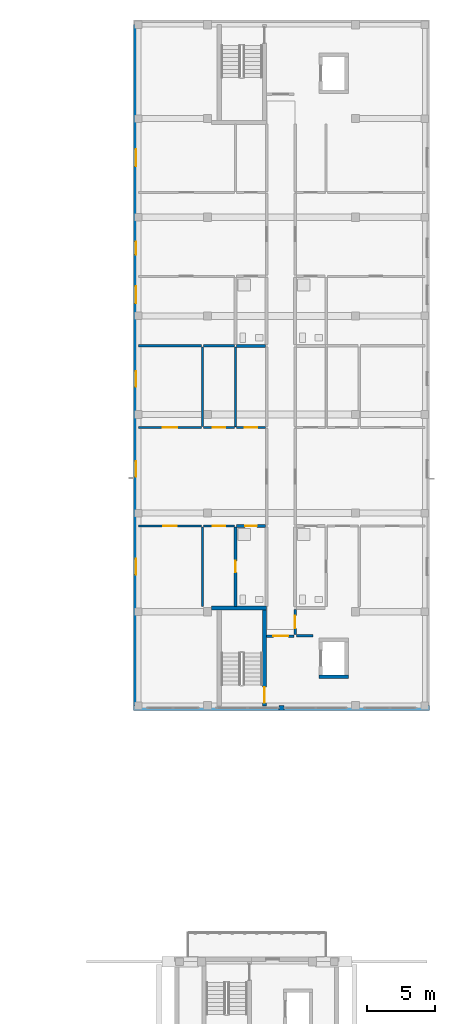
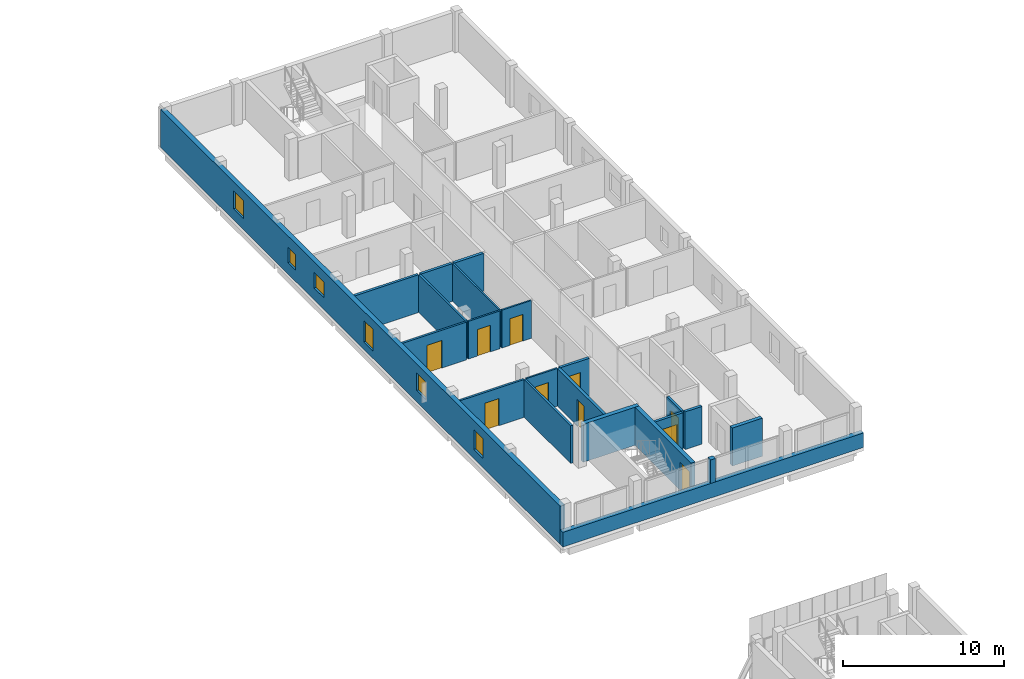
# One storey, part 19 of 34: 22 walls, 10 doors, 6 windows, 16 openings.
"""IFC4 building model written with IfcOpenShell, lengths in metres."""

from ifc_helpers import new_model, si_unit, derived_unit, direction, frame, frame_2d, origin, place, context, subcontext, project, spatial, rectangle, extrude, material, layer, layer_set, type_object, element, fill, save


model = new_model("IFC4")

# Units and contexts
model_context = context("Model", 3, precision=1e-05, world=origin(), true_north=direction((0.0, 1.0)))
body_context = subcontext(model_context, "Body", "Model", "MODEL_VIEW")
ifc_project = project(units=[si_unit("LENGTHUNIT", "METRE"), si_unit("AREAUNIT", "SQUARE_METRE"), si_unit("VOLUMEUNIT", "CUBIC_METRE"), si_unit("PLANEANGLEUNIT", "RADIAN"), si_unit("MASSUNIT", "GRAM", prefix="KILO"), derived_unit("THERMALTRANSMITTANCEUNIT", [(si_unit("MASSUNIT", "GRAM", prefix="KILO"), 1), (si_unit("TIMEUNIT", "SECOND"), -3), (si_unit("THERMODYNAMICTEMPERATUREUNIT", "KELVIN"), -1)])], contexts=[model_context])

# Site, building, storey
site_placement = place(None, origin())
site = spatial("IfcSite", under=ifc_project, at=site_placement, CompositionType="ELEMENT")
building_placement = place(site_placement, origin())
building = spatial("IfcBuilding", under=site, at=building_placement, Name="Ochrekiln Boulevard Commons", CompositionType="ELEMENT")
storey_placement = place(building_placement, frame((0.0, 0.0, 27.824951171875)))
storey = spatial("IfcBuildingStorey", under=building, at=storey_placement, Name="L08", CompositionType="ELEMENT", Elevation=27.824951171875)

# Wall, openings, windows
ifc_material_1 = material(Name="Iron-spot brown clinker brick masonry ASTM C216 Grade SW", Category="masonry")
ifc_layer_1 = layer(ifc_material_1, 0.340087890625)
ifc_layer_set_1 = layer_set([ifc_layer_1], Name="Iron-spot brown clinker brick masonry ASTM C216 Grade SW")
wall_type_1 = type_object("IfcWallType", Name="WL-EXT-IRON-340", PredefinedType="SOLIDWALL", material=ifc_layer_set_1)
wall_1_placement = place(storey_placement, frame((151.3701171875, 68.739990234375, 0.0), z_axis=(0.0, 0.0, 1.0), x_axis=(0.0, 1.0, 0.0)))
wall_1 = element("IfcWall", 1, at=wall_1_placement, inside=storey, type_object=wall_type_1, Name="Block B L08 W Exterior Wall", PredefinedType="SOLIDWALL", context=body_context, shape_type="SweptSolid", body=[
    extrude(rectangle(XDim=49.719970703125, YDim=0.340087890625, at=frame_2d((24.85986328125, 0.0))), origin(), (0.0, 0.0, 1.0), 2.89013671875),
])
opening_1_placement = place(wall_1_placement, frame((16.70703125, 0.0, 0.85498046875)))
opening_1 = element("IfcOpeningElement", 2, at=opening_1_placement, cuts=wall_1, Name="Opening W-12", PredefinedType="OPENING", context=body_context, shape_type="SweptSolid", body=[
    extrude(rectangle(XDim=1.14990234375, YDim=1.35009765625, at=frame_2d((0.574951171875, 0.675048828125))), frame((0.0, 0.179931640625, 0.0), z_axis=(0.0, -1.0, 0.0), x_axis=(1.0, 0.0, 0.0)), (0.0, 0.0, 1.0), 0.360107421875),
])
opening_2_placement = place(wall_1_placement, frame((9.577880859375, 0.0, 0.705078125)))
opening_2 = element("IfcOpeningElement", 3, at=opening_2_placement, cuts=wall_1, Name="Opening W-13", PredefinedType="OPENING", context=body_context, shape_type="SweptSolid", body=[
    extrude(rectangle(XDim=1.14990234375, YDim=1.5, at=frame_2d((0.574951171875, 0.75))), frame((0.0, 0.179931640625, 0.0), z_axis=(0.0, -1.0, 0.0), x_axis=(1.0, 0.0, 0.0)), (0.0, 0.0, 1.0), 0.360107421875),
])
opening_3_placement = place(wall_1_placement, frame((23.279052734375, 0.0, 0.554931640625)))
opening_3 = element("IfcOpeningElement", 4, at=opening_3_placement, cuts=wall_1, Name="Opening W-14", PredefinedType="OPENING", context=body_context, shape_type="SweptSolid", body=[
    extrude(rectangle(XDim=1.14990234375, YDim=1.64990234375, at=frame_2d((0.574951171875, 0.824951171875))), frame((0.0, 0.179931640625, 0.0), z_axis=(0.0, -1.0, 0.0), x_axis=(1.0, 0.0, 0.0)), (0.0, 0.0, 1.0), 0.360107421875),
])
opening_4_placement = place(wall_1_placement, frame((32.93505859375, 0.0, 0.85009765625)))
opening_4 = element("IfcOpeningElement", 5, at=opening_4_placement, cuts=wall_1, Name="Opening W-01", PredefinedType="OPENING", context=body_context, shape_type="SweptSolid", body=[
    extrude(rectangle(XDim=0.949951171875, YDim=1.199951171875, at=frame_2d((0.47509765625, 0.60009765625))), frame((0.0, 0.179931640625, 0.0), z_axis=(0.0, -1.0, 0.0), x_axis=(1.0, 0.0, 0.0)), (0.0, 0.0, 1.0), 0.360107421875),
])
opening_5_placement = place(wall_1_placement, frame((29.375, 0.0, 0.89990234375)))
opening_5 = element("IfcOpeningElement", 6, at=opening_5_placement, cuts=wall_1, Name="Opening W-16", PredefinedType="OPENING", context=body_context, shape_type="SweptSolid", body=[
    extrude(rectangle(XDim=1.25, YDim=1.199951171875, at=frame_2d((0.625, 0.60009765625))), frame((0.0, 0.179931640625, 0.0), z_axis=(0.0, -1.0, 0.0), x_axis=(1.0, 0.0, 0.0)), (0.0, 0.0, 1.0), 0.360107421875),
])
opening_6_placement = place(wall_1_placement, frame((39.37890625, 0.0, 0.85498046875)))
opening_6 = element("IfcOpeningElement", 7, at=opening_6_placement, cuts=wall_1, Name="Opening W-17", PredefinedType="OPENING", context=body_context, shape_type="SweptSolid", body=[
    extrude(rectangle(XDim=1.25, YDim=1.35009765625, at=frame_2d((0.625, 0.675048828125))), frame((0.0, 0.179931640625, 0.0), z_axis=(0.0, -1.0, 0.0), x_axis=(1.0, 0.0, 0.0)), (0.0, 0.0, 1.0), 0.360107421875),
])
ifc_material_2 = material(Name="Thermally broken aluminium-clad oak frame", Category="aluminium")
window_type_1 = type_object("IfcWindowType", Name="WIN-EXT-01", PartitioningType="SINGLE_PANEL", PredefinedType="WINDOW", material=ifc_material_2)
window_1_placement = place(opening_4_placement, origin())
window_1 = element("IfcWindow", 8, at=window_1_placement, inside=storey, type_object=window_type_1, Name="Block B L08 Punched Masonry Window W-01", OverallHeight=1.199951171875, OverallWidth=0.949951171875, PartitioningType="SINGLE_PANEL", PredefinedType="WINDOW", context=body_context, shape_type="SweptSolid", body=[
    extrude(rectangle(XDim=0.949951171875, YDim=1.199951171875, at=frame_2d((0.47509765625, 0.60009765625))), frame((0.0, 0.030029296875, 0.0), z_axis=(0.0, -1.0, 0.0), x_axis=(1.0, 0.0, 0.0)), (0.0, 0.0, 1.0), 0.06005859375),
])
fill(opening_4, window_1)
window_type_2 = type_object("IfcWindowType", Name="WIN-EXT-12", PartitioningType="SINGLE_PANEL", PredefinedType="WINDOW", material=ifc_material_2)
window_2_placement = place(opening_1_placement, origin())
window_2 = element("IfcWindow", 9, at=window_2_placement, inside=storey, type_object=window_type_2, Name="Block B L08 Punched Masonry Window W-12", OverallHeight=1.35009765625, OverallWidth=1.14990234375, PartitioningType="SINGLE_PANEL", PredefinedType="WINDOW", context=body_context, shape_type="SweptSolid", body=[
    extrude(rectangle(XDim=1.14990234375, YDim=1.35009765625, at=frame_2d((0.574951171875, 0.675048828125))), frame((0.0, 0.030029296875, 0.0), z_axis=(0.0, -1.0, 0.0), x_axis=(1.0, 0.0, 0.0)), (0.0, 0.0, 1.0), 0.06005859375),
])
fill(opening_1, window_2)
window_type_3 = type_object("IfcWindowType", Name="WIN-EXT-13", PartitioningType="SINGLE_PANEL", PredefinedType="WINDOW", material=ifc_material_2)
window_3_placement = place(opening_2_placement, origin())
window_3 = element("IfcWindow", 10, at=window_3_placement, inside=storey, type_object=window_type_3, Name="Block B L08 Punched Masonry Window W-13", OverallHeight=1.5, OverallWidth=1.14990234375, PartitioningType="SINGLE_PANEL", PredefinedType="WINDOW", context=body_context, shape_type="SweptSolid", body=[
    extrude(rectangle(XDim=1.14990234375, YDim=1.5, at=frame_2d((0.574951171875, 0.75))), frame((0.0, 0.030029296875, 0.0), z_axis=(0.0, -1.0, 0.0), x_axis=(1.0, 0.0, 0.0)), (0.0, 0.0, 1.0), 0.06005859375),
])
fill(opening_2, window_3)
window_type_4 = type_object("IfcWindowType", Name="WIN-EXT-14", PartitioningType="SINGLE_PANEL", PredefinedType="WINDOW", material=ifc_material_2)
window_4_placement = place(opening_3_placement, origin())
window_4 = element("IfcWindow", 11, at=window_4_placement, inside=storey, type_object=window_type_4, Name="Block B L08 Punched Masonry Window W-14", OverallHeight=1.64990234375, OverallWidth=1.14990234375, PartitioningType="SINGLE_PANEL", PredefinedType="WINDOW", context=body_context, shape_type="SweptSolid", body=[
    extrude(rectangle(XDim=1.14990234375, YDim=1.64990234375, at=frame_2d((0.574951171875, 0.824951171875))), frame((0.0, 0.030029296875, 0.0), z_axis=(0.0, -1.0, 0.0), x_axis=(1.0, 0.0, 0.0)), (0.0, 0.0, 1.0), 0.06005859375),
])
fill(opening_3, window_4)
window_type_5 = type_object("IfcWindowType", Name="WIN-EXT-16", PartitioningType="SINGLE_PANEL", PredefinedType="WINDOW", material=ifc_material_2)
window_5_placement = place(opening_5_placement, origin())
window_5 = element("IfcWindow", 12, at=window_5_placement, inside=storey, type_object=window_type_5, Name="Block B L08 Punched Masonry Window W-16", OverallHeight=1.199951171875, OverallWidth=1.25, PartitioningType="SINGLE_PANEL", PredefinedType="WINDOW", context=body_context, shape_type="SweptSolid", body=[
    extrude(rectangle(XDim=1.25, YDim=1.199951171875, at=frame_2d((0.625, 0.60009765625))), frame((0.0, 0.030029296875, 0.0), z_axis=(0.0, -1.0, 0.0), x_axis=(1.0, 0.0, 0.0)), (0.0, 0.0, 1.0), 0.06005859375),
])
fill(opening_5, window_5)
window_type_6 = type_object("IfcWindowType", Name="WIN-EXT-17", PartitioningType="SINGLE_PANEL", PredefinedType="WINDOW", material=ifc_material_2)
window_6_placement = place(opening_6_placement, origin())
window_6 = element("IfcWindow", 13, at=window_6_placement, inside=storey, type_object=window_type_6, Name="Block B L08 Punched Masonry Window W-17", OverallHeight=1.35009765625, OverallWidth=1.25, PartitioningType="SINGLE_PANEL", PredefinedType="WINDOW", context=body_context, shape_type="SweptSolid", body=[
    extrude(rectangle(XDim=1.25, YDim=1.35009765625, at=frame_2d((0.625, 0.675048828125))), frame((0.0, 0.030029296875, 0.0), z_axis=(0.0, -1.0, 0.0), x_axis=(1.0, 0.0, 0.0)), (0.0, 0.0, 1.0), 0.06005859375),
])
fill(opening_6, window_6)

# Walls
wall_2_placement = place(storey_placement, frame((151.199951171875, 68.570068359375, 0.0), z_axis=(0.0, 0.0, 1.0), x_axis=(1.0, 0.0, 0.0)))
element("IfcWall", 14, at=wall_2_placement, inside=storey, type_object=wall_type_1, Name="Block B L08 Courtyard Gable Sill Wall", PredefinedType="SOLIDWALL", context=body_context, shape_type="SweptSolid", body=[
    extrude(rectangle(XDim=21.60009765625, YDim=0.340087890625, at=frame_2d((10.800048828125, 0.0))), origin(), (0.0, 0.0, 1.0), 1.110107421875),
])
wall_3_placement = place(storey_placement, frame((161.820068359375, 68.570068359375, 1.110107421875), z_axis=(0.0, 0.0, 1.0), x_axis=(1.0, 0.0, 0.0)))
element("IfcWall", 15, at=wall_3_placement, inside=storey, type_object=wall_type_1, Name="Block B L08 Courtyard Gable Mullion Pier", PredefinedType="SOLIDWALL", context=body_context, shape_type="SweptSolid", body=[
    extrude(rectangle(XDim=0.35986328125, YDim=0.340087890625, at=frame_2d((0.179931640625, 0.0))), origin(), (0.0, 0.0, 1.0), 1.780029296875),
])

# Wall, opening, door
ifc_material_3 = material(Name="Moisture-resistant cementitious tile backer wall")
ifc_layer_2 = layer(ifc_material_3, 0.199951171875)
ifc_layer_set_2 = layer_set([ifc_layer_2], Name="Moisture-resistant cementitious tile backer wall")
wall_type_2 = type_object("IfcWallType", Name="WL-PLM-200", PredefinedType="PLUMBINGWALL", material=ifc_layer_set_2)
wall_4_placement = place(storey_placement, frame((158.719970703125, 81.864990234375, 0.0), z_axis=(0.0, 0.0, 1.0), x_axis=(1.0, 0.0, 0.0)))
wall_4 = element("IfcWall", 16, at=wall_4_placement, inside=storey, type_object=wall_type_2, Name="L08 Interior Wall W-PW200", PredefinedType="PLUMBINGWALL", context=body_context, shape_type="SweptSolid", body=[
    extrude(rectangle(XDim=2.10693359375, YDim=0.199951171875, at=frame_2d((1.053466796875, 0.0))), origin(), (0.0, 0.0, 1.0), 2.8701171875),
])
opening_7_placement = place(wall_4_placement, frame((0.6201171875, 0.0, 0.0)))
opening_7 = element("IfcOpeningElement", 17, at=opening_7_placement, cuts=wall_4, Name="Opening D-L08-1038", PredefinedType="OPENING", context=body_context, shape_type="SweptSolid", body=[
    extrude(rectangle(XDim=0.860107421875, YDim=2.0, at=frame_2d((0.43017578125, 1.0))), frame((0.0, 0.10986328125, 0.0), z_axis=(0.0, -1.0, 0.0), x_axis=(1.0, 0.0, 0.0)), (0.0, 0.0, 1.0), 0.219970703125),
])
ifc_material_4 = material(Name="Solid core architectural oak door leaf")
door_type_1 = type_object("IfcDoorType", Name="DR-INT-BTH-086", OperationType="NOTDEFINED", PredefinedType="DOOR", material=ifc_material_4)
door_1_placement = place(opening_7_placement, frame((0.860107421875, 0.0, 0.0), z_axis=(0.0, 0.0, 1.0), x_axis=(-1.0, 0.0, 0.0)))
door_1 = element("IfcDoor", 18, at=door_1_placement, inside=storey, type_object=door_type_1, Name="L08 Interior Door to Accessible Apartment Bathroom", OperationType="SINGLE_SWING_RIGHT", OverallHeight=2.0, OverallWidth=0.860107421875, PredefinedType="DOOR", context=body_context, shape_type="SweptSolid", body=[
    extrude(rectangle(XDim=0.860107421875, YDim=2.0, at=frame_2d((0.43017578125, 1.0))), frame((0.0, 0.02490234375, 0.0), z_axis=(0.0, -1.0, 0.0), x_axis=(1.0, 0.0, 0.0)), (0.0, 0.0, 1.0), 0.050048828125),
])
fill(opening_7, door_1)

wall_5_placement = place(storey_placement, frame((158.639892578125, 76.0, 0.0), z_axis=(0.0, 0.0, 1.0), x_axis=(0.0, 1.0, 0.0)))
wall_5 = element("IfcWall", 19, at=wall_5_placement, inside=storey, type_object=wall_type_2, Name="L08 Interior Wall W-PW200", PredefinedType="PLUMBINGWALL", context=body_context, shape_type="SweptSolid", body=[
    extrude(rectangle(XDim=5.804931640625, YDim=0.199951171875, at=frame_2d((2.90234375, 0.0))), origin(), (0.0, 0.0, 1.0), 2.8701171875),
])
opening_8_placement = place(wall_5_placement, frame((2.467041015625, 0.0, 0.0)))
opening_8 = element("IfcOpeningElement", 20, at=opening_8_placement, cuts=wall_5, Name="Opening D-L08-1044", PredefinedType="OPENING", context=body_context, shape_type="SweptSolid", body=[
    extrude(rectangle(XDim=0.85009765625, YDim=2.010009765625, at=frame_2d((0.425048828125, 1.0048828125))), frame((0.0, 0.10986328125, 0.0), z_axis=(0.0, -1.0, 0.0), x_axis=(1.0, 0.0, 0.0)), (0.0, 0.0, 1.0), 0.219970703125),
])
door_type_2 = type_object("IfcDoorType", Name="DR-INT-KIT-085", OperationType="NOTDEFINED", PredefinedType="DOOR", material=ifc_material_4)
door_2_placement = place(opening_8_placement, frame((0.85009765625, 0.0, 0.0), z_axis=(0.0, 0.0, 1.0), x_axis=(-1.0, 0.0, 0.0)))
door_2 = element("IfcDoor", 21, at=door_2_placement, inside=storey, type_object=door_type_2, Name="L08 Interior Door to Accessible Apartment Bathroom", OperationType="SINGLE_SWING_RIGHT", OverallHeight=2.010009765625, OverallWidth=0.85009765625, PredefinedType="DOOR", context=body_context, shape_type="SweptSolid", body=[
    extrude(rectangle(XDim=0.85009765625, YDim=2.010009765625, at=frame_2d((0.425048828125, 1.0048828125))), frame((0.0, 0.02490234375, 0.0), z_axis=(0.0, -1.0, 0.0), x_axis=(1.0, 0.0, 0.0)), (0.0, 0.0, 1.0), 0.050048828125),
])
fill(opening_8, door_2)

# Wall
wall_6_placement = place(storey_placement, frame((158.699951171875, 95.008056640625, 0.0), z_axis=(0.0, 0.0, 1.0), x_axis=(1.0, 0.0, 0.0)))
element("IfcWall", 22, at=wall_6_placement, inside=storey, type_object=wall_type_2, Name="L08 Interior Wall W-PW200", PredefinedType="PLUMBINGWALL", context=body_context, shape_type="SweptSolid", body=[
    extrude(rectangle(XDim=2.126953125, YDim=0.199951171875, at=frame_2d((1.0634765625, 0.0))), origin(), (0.0, 0.0, 1.0), 2.8701171875),
])

# Wall, opening, door
ifc_material_5 = material(Name="Fire-rated Type X gypsum board on steel studs", Category="steel")
ifc_layer_3 = layer(ifc_material_5, 0.1650390625)
ifc_layer_set_3 = layer_set([ifc_layer_3], Name="Fire-rated Type X gypsum board on steel studs")
wall_type_3 = type_object("IfcWallType", Name="WL-PT-CORR-165", PredefinedType="PARTITIONING", material=ifc_layer_set_3)
wall_7_placement = place(storey_placement, frame((162.989990234375, 73.929931640625, 0.0), z_axis=(0.0, 0.0, 1.0), x_axis=(0.0, 1.0, 0.0)))
wall_7 = element("IfcWall", 23, at=wall_7_placement, inside=storey, type_object=wall_type_3, Name="L08 Interior Wall W-PC165", PredefinedType="PARTITIONING", context=body_context, shape_type="SweptSolid", body=[
    extrude(rectangle(XDim=1.820068359375, YDim=0.1650390625, at=frame_2d((0.91015625, 0.0))), origin(), (0.0, 0.0, 1.0), 2.8701171875),
])
opening_9_placement = place(wall_7_placement, frame((0.4599609375, 0.0, 0.0)))
opening_9 = element("IfcOpeningElement", 24, at=opening_9_placement, cuts=wall_7, Name="Opening D-L08-1033", PredefinedType="OPENING", context=body_context, shape_type="SweptSolid", body=[
    extrude(rectangle(XDim=0.919921875, YDim=2.0400390625, at=frame_2d((0.4599609375, 1.02001953125))), frame((0.0, 0.092529296875, 0.0), z_axis=(0.0, -1.0, 0.0), x_axis=(1.0, 0.0, 0.0)), (0.0, 0.0, 1.0), 0.18505859375),
])
ifc_material_6 = material(Name="Hollow metal fire-rated steel door assembly", Category="steel")
door_type_3 = type_object("IfcDoorType", Name="DR-SRV-90", OperationType="NOTDEFINED", PredefinedType="DOOR", material=ifc_material_6)
door_3_placement = place(opening_9_placement, frame((0.919921875, 0.0, 0.0), z_axis=(0.0, 0.0, 1.0), x_axis=(-1.0, 0.0, 0.0)))
door_3 = element("IfcDoor", 25, at=door_3_placement, inside=storey, type_object=door_type_3, Name="L08 Interior Door to Hydronic and Electrical Riser Room", OperationType="SINGLE_SWING_LEFT", OverallHeight=2.0400390625, OverallWidth=0.919921875, PredefinedType="DOOR", context=body_context, shape_type="SweptSolid", body=[
    extrude(rectangle(XDim=0.919921875, YDim=2.0400390625, at=frame_2d((0.4599609375, 1.02001953125))), frame((0.0, 0.02490234375, 0.0), z_axis=(0.0, -1.0, 0.0), x_axis=(1.0, 0.0, 0.0)), (0.0, 0.0, 1.0), 0.050048828125),
])
fill(opening_9, door_3)

# Walls
ifc_layer_4 = layer(ifc_material_5, 0.179931640625)
ifc_layer_set_4 = layer_set([ifc_layer_4], Name="Fire-rated Type X gypsum board on steel studs")
wall_type_4 = type_object("IfcWallType", Name="WL-PT-DEM-180", PredefinedType="PARTITIONING", material=ifc_layer_set_4)
wall_8_placement = place(storey_placement, frame((151.5400390625, 95.008056640625, 0.0), z_axis=(0.0, 0.0, 1.0), x_axis=(1.0, 0.0, 0.0)))
element("IfcWall", 26, at=wall_8_placement, inside=storey, type_object=wall_type_4, Name="L08 Interior Wall W-PD180", PredefinedType="PARTITIONING", context=body_context, shape_type="SweptSolid", body=[
    extrude(rectangle(XDim=4.60986328125, YDim=0.179931640625, at=frame_2d((2.304931640625, 0.0))), origin(), (0.0, 0.0, 1.0), 2.8701171875),
])
wall_9_placement = place(storey_placement, frame((156.304931640625, 95.008056640625, 0.0), z_axis=(0.0, 0.0, 1.0), x_axis=(1.0, 0.0, 0.0)))
element("IfcWall", 27, at=wall_9_placement, inside=storey, type_object=wall_type_4, Name="L08 Interior Wall W-PD180", PredefinedType="PARTITIONING", context=body_context, shape_type="SweptSolid", body=[
    extrude(rectangle(XDim=2.275146484375, YDim=0.179931640625, at=frame_2d((1.1376953125, 0.0))), origin(), (0.0, 0.0, 1.0), 2.8701171875),
])
ifc_layer_5 = layer(ifc_material_5, 0.18994140625)
ifc_layer_set_5 = layer_set([ifc_layer_5], Name="Fire-rated Type X gypsum board on steel studs")
wall_type_5 = type_object("IfcWallType", Name="WL-PT-LBY-190", PredefinedType="PARTITIONING", material=ifc_layer_set_5)
wall_10_placement = place(storey_placement, frame((163.080078125, 73.8349609375, 0.0), z_axis=(0.0, 0.0, 1.0), x_axis=(1.0, 0.0, 0.0)))
element("IfcWall", 28, at=wall_10_placement, inside=storey, type_object=wall_type_5, Name="L08 Interior Wall W-PL190", PredefinedType="PARTITIONING", context=body_context, shape_type="SweptSolid", body=[
    extrude(rectangle(XDim=1.219970703125, YDim=0.18994140625, at=frame_2d((0.60986328125, 0.0))), origin(), (0.0, 0.0, 1.0), 2.8701171875),
])

# Wall, opening, door
wall_11_placement = place(storey_placement, frame((160.89990234375, 73.820068359375, 0.0), z_axis=(0.0, 0.0, 1.0), x_axis=(1.0, 0.0, 0.0)))
wall_11 = element("IfcWall", 29, at=wall_11_placement, inside=storey, type_object=wall_type_5, Name="L08 Interior Wall W-PL190", PredefinedType="PARTITIONING", context=body_context, shape_type="SweptSolid", body=[
    extrude(rectangle(XDim=2.0, YDim=0.18994140625, at=frame_2d((1.0, 0.0))), origin(), (0.0, 0.0, 1.0), 2.8701171875),
])
opening_10_placement = place(wall_11_placement, frame((0.5, 0.0, 0.0)))
opening_10 = element("IfcOpeningElement", 30, at=opening_10_placement, cuts=wall_11, Name="Opening D-L08-1031", PredefinedType="OPENING", context=body_context, shape_type="SweptSolid", body=[
    extrude(rectangle(XDim=1.10009765625, YDim=2.1201171875, at=frame_2d((0.550048828125, 1.06005859375))), frame((0.0, 0.10498046875, 0.0), z_axis=(0.0, -1.0, 0.0), x_axis=(1.0, 0.0, 0.0)), (0.0, 0.0, 1.0), 0.2099609375),
])
door_type_4 = type_object("IfcDoorType", Name="DR-LOBBY-60", OperationType="NOTDEFINED", PredefinedType="DOOR", material=ifc_material_6)
door_4_placement = place(opening_10_placement, frame((1.10009765625, 0.0, 0.0), z_axis=(0.0, 0.0, 1.0), x_axis=(-1.0, 0.0, 0.0)))
door_4 = element("IfcDoor", 31, at=door_4_placement, inside=storey, type_object=door_type_4, Name="L08 Interior Door to Fire Service Access Elevator Lobby", OperationType="SINGLE_SWING_LEFT", OverallHeight=2.1201171875, OverallWidth=1.10009765625, PredefinedType="DOOR", context=body_context, shape_type="SweptSolid", body=[
    extrude(rectangle(XDim=1.10009765625, YDim=2.1201171875, at=frame_2d((0.550048828125, 1.06005859375))), frame((0.0, 0.02490234375, 0.0), z_axis=(0.0, -1.0, 0.0), x_axis=(1.0, 0.0, 0.0)), (0.0, 0.0, 1.0), 0.050048828125),
])
fill(opening_10, door_4)

ifc_layer_6 = layer(ifc_material_5, 0.1201171875)
ifc_layer_set_6 = layer_set([ifc_layer_6], Name="Fire-rated Type X gypsum board on steel studs")
wall_type_6 = type_object("IfcWallType", Name="WL-PT-LGT-120", PredefinedType="PARTITIONING", material=ifc_layer_set_6)
wall_12_placement = place(storey_placement, frame((158.719970703125, 89.052978515625, 0.0), z_axis=(0.0, 0.0, 1.0), x_axis=(1.0, 0.0, 0.0)))
wall_12 = element("IfcWall", 32, at=wall_12_placement, inside=storey, type_object=wall_type_6, Name="L08 Interior Wall W-PL120", PredefinedType="PARTITIONING", context=body_context, shape_type="SweptSolid", body=[
    extrude(rectangle(XDim=2.10693359375, YDim=0.1201171875, at=frame_2d((1.053466796875, 0.0))), origin(), (0.0, 0.0, 1.0), 2.8701171875),
])
opening_11_placement = place(wall_12_placement, frame((0.590087890625, 0.0, 0.0)))
opening_11 = element("IfcOpeningElement", 33, at=opening_11_placement, cuts=wall_12, Name="Opening D-L08-1039", PredefinedType="OPENING", context=body_context, shape_type="SweptSolid", body=[
    extrude(rectangle(XDim=0.919921875, YDim=2.02001953125, at=frame_2d((0.4599609375, 1.010009765625))), frame((0.0, 0.070068359375, 0.0), z_axis=(0.0, -1.0, 0.0), x_axis=(1.0, 0.0, 0.0)), (0.0, 0.0, 1.0), 0.14013671875),
])
door_type_5 = type_object("IfcDoorType", Name="DR-INT-KIT-092", OperationType="NOTDEFINED", PredefinedType="DOOR", material=ifc_material_4)
door_5_placement = place(opening_11_placement, origin())
door_5 = element("IfcDoor", 34, at=door_5_placement, inside=storey, type_object=door_type_5, Name="L08 Interior Door to Apartment Kitchen", OperationType="SINGLE_SWING_LEFT", OverallHeight=2.02001953125, OverallWidth=0.919921875, PredefinedType="DOOR", context=body_context, shape_type="SweptSolid", body=[
    extrude(rectangle(XDim=0.919921875, YDim=2.02001953125, at=frame_2d((0.4599609375, 1.010009765625))), frame((0.0, 0.02490234375, 0.0), z_axis=(0.0, -1.0, 0.0), x_axis=(1.0, 0.0, 0.0)), (0.0, 0.0, 1.0), 0.050048828125),
])
fill(opening_11, door_5)

wall_13_placement = place(storey_placement, frame((156.31005859375, 81.864990234375, 0.0), z_axis=(0.0, 0.0, 1.0), x_axis=(1.0, 0.0, 0.0)))
wall_13 = element("IfcWall", 35, at=wall_13_placement, inside=storey, type_object=wall_type_6, Name="L08 Interior Wall W-PL120", PredefinedType="PARTITIONING", context=body_context, shape_type="SweptSolid", body=[
    extrude(rectangle(XDim=2.25, YDim=0.1201171875, at=frame_2d((1.125, 0.0))), origin(), (0.0, 0.0, 1.0), 2.8701171875),
])
opening_12_placement = place(wall_13_placement, frame((0.6650390625, 0.0, 0.0)))
opening_12 = element("IfcOpeningElement", 36, at=opening_12_placement, cuts=wall_13, Name="Opening D-L08-1041", PredefinedType="OPENING", context=body_context, shape_type="SweptSolid", body=[
    extrude(rectangle(XDim=0.919921875, YDim=2.02001953125, at=frame_2d((0.4599609375, 1.010009765625))), frame((0.0, 0.070068359375, 0.0), z_axis=(0.0, -1.0, 0.0), x_axis=(1.0, 0.0, 0.0)), (0.0, 0.0, 1.0), 0.14013671875),
])
door_6_placement = place(opening_12_placement, frame((0.919921875, 0.0, 0.0), z_axis=(0.0, 0.0, 1.0), x_axis=(-1.0, 0.0, 0.0)))
door_6 = element("IfcDoor", 37, at=door_6_placement, inside=storey, type_object=door_type_5, Name="L08 Interior Door to Apartment Walk-In Wardrobe", OperationType="SINGLE_SWING_LEFT", OverallHeight=2.02001953125, OverallWidth=0.919921875, PredefinedType="DOOR", context=body_context, shape_type="SweptSolid", body=[
    extrude(rectangle(XDim=0.919921875, YDim=2.02001953125, at=frame_2d((0.4599609375, 1.010009765625))), frame((0.0, 0.02490234375, 0.0), z_axis=(0.0, -1.0, 0.0), x_axis=(1.0, 0.0, 0.0)), (0.0, 0.0, 1.0), 0.050048828125),
])
fill(opening_12, door_6)

wall_14_placement = place(storey_placement, frame((156.31005859375, 89.052978515625, 0.0), z_axis=(0.0, 0.0, 1.0), x_axis=(1.0, 0.0, 0.0)))
wall_14 = element("IfcWall", 38, at=wall_14_placement, inside=storey, type_object=wall_type_6, Name="L08 Interior Wall W-PL120", PredefinedType="PARTITIONING", context=body_context, shape_type="SweptSolid", body=[
    extrude(rectangle(XDim=2.25, YDim=0.1201171875, at=frame_2d((1.125, 0.0))), origin(), (0.0, 0.0, 1.0), 2.8701171875),
])
opening_13_placement = place(wall_14_placement, frame((0.6650390625, 0.0, 0.0)))
opening_13 = element("IfcOpeningElement", 39, at=opening_13_placement, cuts=wall_14, Name="Opening D-L08-1043", PredefinedType="OPENING", context=body_context, shape_type="SweptSolid", body=[
    extrude(rectangle(XDim=0.919921875, YDim=2.02001953125, at=frame_2d((0.4599609375, 1.010009765625))), frame((0.0, 0.070068359375, 0.0), z_axis=(0.0, -1.0, 0.0), x_axis=(1.0, 0.0, 0.0)), (0.0, 0.0, 1.0), 0.14013671875),
])
door_7_placement = place(opening_13_placement, origin())
door_7 = element("IfcDoor", 40, at=door_7_placement, inside=storey, type_object=door_type_5, Name="L08 Interior Door to Apartment Walk-In Wardrobe", OperationType="SINGLE_SWING_LEFT", OverallHeight=2.02001953125, OverallWidth=0.919921875, PredefinedType="DOOR", context=body_context, shape_type="SweptSolid", body=[
    extrude(rectangle(XDim=0.919921875, YDim=2.02001953125, at=frame_2d((0.4599609375, 1.010009765625))), frame((0.0, 0.02490234375, 0.0), z_axis=(0.0, -1.0, 0.0), x_axis=(1.0, 0.0, 0.0)), (0.0, 0.0, 1.0), 0.050048828125),
])
fill(opening_13, door_7)

# Wall
wall_15_placement = place(storey_placement, frame((158.639892578125, 89.113037109375, 0.0), z_axis=(0.0, 0.0, 1.0), x_axis=(0.0, 1.0, 0.0)))
element("IfcWall", 41, at=wall_15_placement, inside=storey, type_object=wall_type_6, Name="L08 Interior Wall W-PL120", PredefinedType="PARTITIONING", context=body_context, shape_type="SweptSolid", body=[
    extrude(rectangle(XDim=5.804931640625, YDim=0.1201171875, at=frame_2d((2.90234375, 0.0))), origin(), (0.0, 0.0, 1.0), 2.8701171875),
])

# Wall, opening, door
ifc_layer_7 = layer(ifc_material_5, 0.14990234375)
ifc_layer_set_7 = layer_set([ifc_layer_7], Name="Fire-rated Type X gypsum board on steel studs")
wall_type_7 = type_object("IfcWallType", Name="WL-PT-STD-150", PredefinedType="PARTITIONING", material=ifc_layer_set_7)
wall_16_placement = place(storey_placement, frame((151.5400390625, 81.864990234375, 0.0), z_axis=(0.0, 0.0, 1.0), x_axis=(1.0, 0.0, 0.0)))
wall_16 = element("IfcWall", 42, at=wall_16_placement, inside=storey, type_object=wall_type_7, Name="L08 Interior Wall W-PS150", PredefinedType="PARTITIONING", context=body_context, shape_type="SweptSolid", body=[
    extrude(rectangle(XDim=4.60986328125, YDim=0.14990234375, at=frame_2d((2.304931640625, 0.0))), origin(), (0.0, 0.0, 1.0), 2.8701171875),
])
opening_14_placement = place(wall_16_placement, frame((1.81005859375, 0.0, 0.0)))
opening_14 = element("IfcOpeningElement", 43, at=opening_14_placement, cuts=wall_16, Name="Opening D-L08-1040", PredefinedType="OPENING", context=body_context, shape_type="SweptSolid", body=[
    extrude(rectangle(XDim=1.0, YDim=2.06005859375, at=frame_2d((0.5, 1.030029296875))), frame((0.0, 0.0849609375, 0.0), z_axis=(0.0, -1.0, 0.0), x_axis=(1.0, 0.0, 0.0)), (0.0, 0.0, 1.0), 0.169921875),
])
door_type_6 = type_object("IfcDoorType", Name="DR-INT-BED-100", OperationType="NOTDEFINED", PredefinedType="DOOR", material=ifc_material_4)
door_8_placement = place(opening_14_placement, frame((1.0, 0.0, 0.0), z_axis=(0.0, 0.0, 1.0), x_axis=(-1.0, 0.0, 0.0)))
door_8 = element("IfcDoor", 44, at=door_8_placement, inside=storey, type_object=door_type_6, Name="L08 Interior Door to Primary Apartment Bedroom", OperationType="SINGLE_SWING_RIGHT", OverallHeight=2.06005859375, OverallWidth=1.0, PredefinedType="DOOR", context=body_context, shape_type="SweptSolid", body=[
    extrude(rectangle(XDim=1.0, YDim=2.06005859375, at=frame_2d((0.5, 1.030029296875))), frame((0.0, 0.02490234375, 0.0), z_axis=(0.0, -1.0, 0.0), x_axis=(1.0, 0.0, 0.0)), (0.0, 0.0, 1.0), 0.050048828125),
])
fill(opening_14, door_8)

wall_17_placement = place(storey_placement, frame((151.5400390625, 89.052978515625, 0.0), z_axis=(0.0, 0.0, 1.0), x_axis=(1.0, 0.0, 0.0)))
wall_17 = element("IfcWall", 45, at=wall_17_placement, inside=storey, type_object=wall_type_7, Name="L08 Interior Wall W-PS150", PredefinedType="PARTITIONING", context=body_context, shape_type="SweptSolid", body=[
    extrude(rectangle(XDim=4.60986328125, YDim=0.14990234375, at=frame_2d((2.304931640625, 0.0))), origin(), (0.0, 0.0, 1.0), 2.8701171875),
])
opening_15_placement = place(wall_17_placement, frame((1.77001953125, 0.0, 0.0)))
opening_15 = element("IfcOpeningElement", 46, at=opening_15_placement, cuts=wall_17, Name="Opening D-L08-1042", PredefinedType="OPENING", context=body_context, shape_type="SweptSolid", body=[
    extrude(rectangle(XDim=1.080078125, YDim=2.10009765625, at=frame_2d((0.5400390625, 1.050048828125))), frame((0.0, 0.0849609375, 0.0), z_axis=(0.0, -1.0, 0.0), x_axis=(1.0, 0.0, 0.0)), (0.0, 0.0, 1.0), 0.169921875),
])
door_type_7 = type_object("IfcDoorType", Name="DR-INT-BED-108", OperationType="NOTDEFINED", PredefinedType="DOOR", material=ifc_material_4)
door_9_placement = place(opening_15_placement, origin())
door_9 = element("IfcDoor", 47, at=door_9_placement, inside=storey, type_object=door_type_7, Name="L08 Interior Door to Secondary Apartment Bedroom", OperationType="SINGLE_SWING_RIGHT", OverallHeight=2.10009765625, OverallWidth=1.080078125, PredefinedType="DOOR", context=body_context, shape_type="SweptSolid", body=[
    extrude(rectangle(XDim=1.080078125, YDim=2.10009765625, at=frame_2d((0.5400390625, 1.050048828125))), frame((0.0, 0.02490234375, 0.0), z_axis=(0.0, -1.0, 0.0), x_axis=(1.0, 0.0, 0.0)), (0.0, 0.0, 1.0), 0.050048828125),
])
fill(opening_15, door_9)

# Walls
for number, where, z_axis, x_axis, name in (
    (48, (156.22998046875, 76.0, 0.0), (0.0, 0.0, 1.0), (0.0, 1.0, 0.0), "L08 Interior Wall W-PS150"),
    (49, (156.22998046875, 89.113037109375, 0.0), (0.0, 0.0, 1.0), (0.0, 1.0, 0.0), "L08 Interior Wall W-PS150"),
):
    element("IfcWall", number, at=place(storey_placement, frame(where, z_axis=z_axis, x_axis=x_axis)), inside=storey, type_object=wall_type_7, Name=name, PredefinedType="PARTITIONING", context=body_context, shape_type="SweptSolid", body=[
        extrude(rectangle(XDim=5.804931640625, YDim=0.14990234375, at=frame_2d((2.90234375, 0.0))), origin(), (0.0, 0.0, 1.0), 2.8701171875),
    ])
ifc_material_7 = material(Name="Concrete C40/50", Category="concrete")
ifc_layer_8 = layer(ifc_material_7, 0.27490234375)
ifc_layer_set_8 = layer_set([ifc_layer_8], Name="Concrete C40/50")
wall_type_8 = type_object("IfcWallType", Name="WL-SH-275", PredefinedType="SHEAR", material=ifc_layer_set_8)
wall_18_placement = place(storey_placement, frame((164.72509765625, 70.862548828125, 0.0), z_axis=(0.0, 0.0, 1.0), x_axis=(1.0, 0.0, 0.0)))
element("IfcWall", 50, at=wall_18_placement, inside=storey, type_object=wall_type_8, Name="Elevator FF-B1 L08 Hoistway Shear Wall", PredefinedType="SHEAR", context=body_context, shape_type="SweptSolid", body=[
    extrude(rectangle(XDim=2.14990234375, YDim=0.27490234375, at=frame_2d((1.074951171875, 0.0))), origin(), (0.0, 0.0, 1.0), 2.89013671875),
])
ifc_layer_9 = layer(ifc_material_7, 0.300048828125)
ifc_layer_set_9 = layer_set([ifc_layer_9], Name="Concrete C40/50")
wall_type_9 = type_object("IfcWallType", Name="WL-SH-300", PredefinedType="SHEAR", material=ifc_layer_set_9)
wall_19_placement = place(storey_placement, frame((156.89990234375, 75.8701171875, 0.0), z_axis=(0.0, 0.0, 1.0), x_axis=(1.0, 0.0, 0.0)))
element("IfcWall", 51, at=wall_19_placement, inside=storey, type_object=wall_type_9, Name="Stair ST-B1 L08 Core Shear Wall N", PredefinedType="SHEAR", context=body_context, shape_type="SweptSolid", body=[
    extrude(rectangle(XDim=4.0, YDim=0.300048828125, at=frame_2d((2.0, 0.0))), origin(), (0.0, 0.0, 1.0), 2.89013671875),
])

# Wall, opening, door
wall_20_placement = place(storey_placement, frame((160.75, 68.719970703125, 0.0), z_axis=(0.0, 0.0, 1.0), x_axis=(0.0, 1.0, 0.0)))
wall_20 = element("IfcWall", 52, at=wall_20_placement, inside=storey, type_object=wall_type_9, Name="Stair ST-B1 L08 Core Shear Wall E", PredefinedType="SHEAR", context=body_context, shape_type="SweptSolid", body=[
    extrude(rectangle(XDim=7.0, YDim=0.300048828125, at=frame_2d((3.5, 0.0))), origin(), (0.0, 0.0, 1.0), 2.89013671875),
])
opening_16_placement = place(wall_20_placement, frame((0.22509765625, 0.0, 0.0)))
opening_16 = element("IfcOpeningElement", 53, at=opening_16_placement, cuts=wall_20, Name="Opening D-L08-ST-B1", PredefinedType="OPENING", context=body_context, shape_type="SweptSolid", body=[
    extrude(rectangle(XDim=1.14990234375, YDim=2.1201171875, at=frame_2d((0.574951171875, 1.06005859375))), frame((0.0, 0.159912109375, 0.0), z_axis=(0.0, -1.0, 0.0), x_axis=(1.0, 0.0, 0.0)), (0.0, 0.0, 1.0), 0.320068359375),
])
door_type_8 = type_object("IfcDoorType", Name="DR-STAIR-90", OperationType="NOTDEFINED", PredefinedType="DOOR", material=ifc_material_6)
door_10_placement = place(opening_16_placement, origin())
door_10 = element("IfcDoor", 54, at=door_10_placement, inside=storey, type_object=door_type_8, Name="Enclosed Exit Stair ST-B1 L08 Rated Door", OperationType="SINGLE_SWING_RIGHT", OverallHeight=2.1201171875, OverallWidth=1.14990234375, PredefinedType="DOOR", context=body_context, shape_type="SweptSolid", body=[
    extrude(rectangle(XDim=1.14990234375, YDim=2.1201171875, at=frame_2d((0.574951171875, 1.06005859375))), frame((0.0, 0.02490234375, 0.0), z_axis=(0.0, -1.0, 0.0), x_axis=(1.0, 0.0, 0.0)), (0.0, 0.0, 1.0), 0.050048828125),
])
fill(opening_16, door_10)

save(model, "model.ifc")
